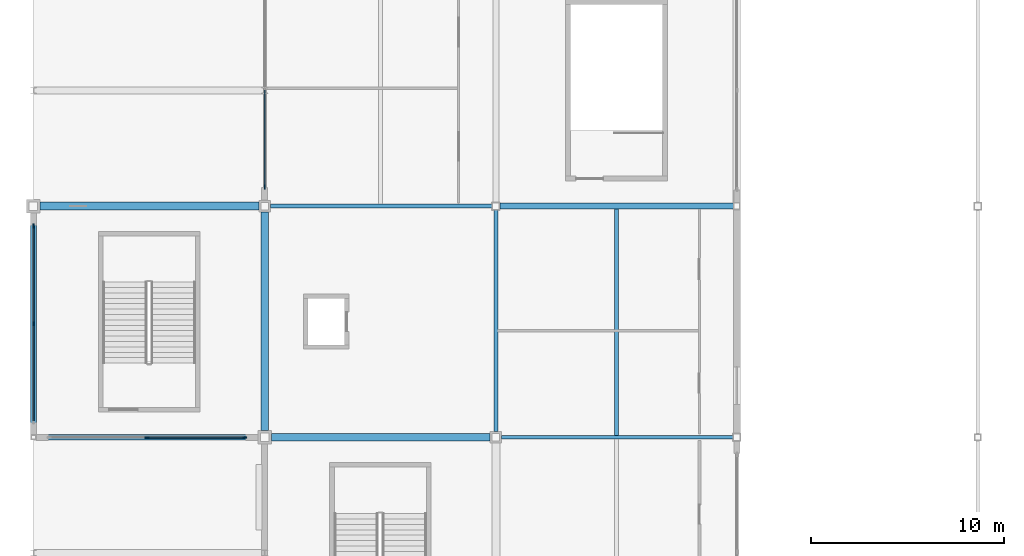
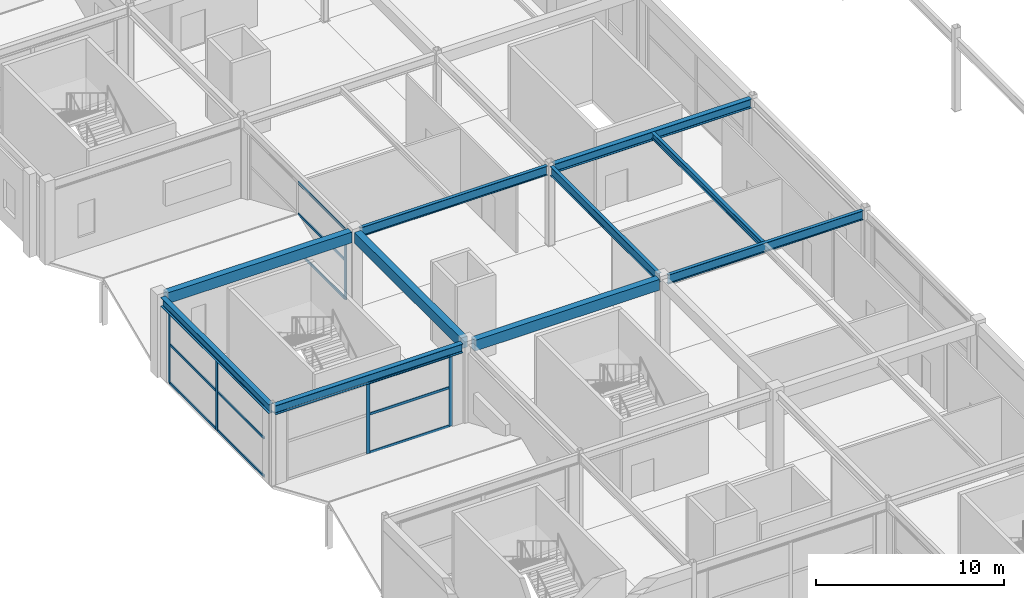
# One storey, part 30 of 105: 17 members, 10 beams, 3 elements without a shape of their own.
"""IFC4 building model written with IfcOpenShell, lengths in metres."""

from ifc_helpers import new_model, si_unit, direction, frame, origin, origin_2d, place, context, subcontext, project, spatial, rectangle, i_section, extrude, material, layer, layer_set, material_profile, profile_set, type_object, element, aggregate, save


model = new_model("IFC4")

# Units and contexts
model_context = context("Model", 3, precision=1e-05, world=origin(), true_north=direction((0.0, 1.0)))
body_context = subcontext(model_context, "Body", "Model", "MODEL_VIEW")
ifc_project = project(units=[si_unit("LENGTHUNIT", "METRE"), si_unit("AREAUNIT", "SQUARE_METRE"), si_unit("VOLUMEUNIT", "CUBIC_METRE"), si_unit("PLANEANGLEUNIT", "RADIAN"), si_unit("MASSUNIT", "GRAM", prefix="KILO")], contexts=[model_context])

# Site, building, storey
site_placement = place(None, origin())
site = spatial("IfcSite", under=ifc_project, at=site_placement, CompositionType="ELEMENT")
building_placement = place(site_placement, origin())
building = spatial("IfcBuilding", under=site, at=building_placement, Name="Kazenohara Klinker Stadium", CompositionType="ELEMENT")
storey_placement = place(building_placement, frame((0.0, 0.0, 20.39990234375)))
storey = spatial("IfcBuildingStorey", under=building, at=storey_placement, Name="L04", CompositionType="ELEMENT", Elevation=20.39990234375)

# Beams
ifc_material_1 = material(Name="Steel S355", Category="steel")
ifc_material_profile_1 = material_profile(ifc_material_1, i_section(OverallWidth=0.199951171875, OverallDepth=0.39990234375, WebThickness=0.008056640625, FlangeThickness=0.012939453125, FilletRadius=0.012939453125, at=origin_2d()), Name="H-400x200x8x13")
ifc_profile_set_1 = profile_set([ifc_material_profile_1], Name="Steel S355")
beam_type_1 = type_object("IfcBeamType", Name="BM-JST03", PredefinedType="JOIST", material=ifc_profile_set_1)
beam_1_placement = place(storey_placement, frame((30.25, 60.10009765625, 4.97998046875), z_axis=(0.0, 1.0, 0.0), x_axis=(-1.0, 0.0, 0.0)))
element("IfcBeam", 1, at=beam_1_placement, inside=storey, type_object=beam_type_1, Name="Secondary floor joist SJ03 L04 3/F", PredefinedType="JOIST", context=body_context, shape_type="SweptSolid", body=[
    extrude(i_section(OverallWidth=0.199951171875, OverallDepth=0.39990234375, WebThickness=0.008056640625, FlangeThickness=0.012939453125, FilletRadius=0.012939453125, at=origin_2d()), origin(), (0.0, 0.0, 1.0), 11.75),
])
ifc_material_2 = material(Name="Concrete C40/50", Category="concrete")
ifc_material_profile_2 = material_profile(ifc_material_2, rectangle(XDim=0.39990234375, YDim=0.699951171875, at=origin_2d()), Name="RC-BM-400x700")
ifc_profile_set_2 = profile_set([ifc_material_profile_2], Name="Concrete C40/50")
beam_type_2 = type_object("IfcBeamType", Name="BM-RC04", PredefinedType="BEAM", material=ifc_profile_set_2)
for number, where, z_axis, x_axis, name in (
    (2, (0.35009765625, 72.0, 4.830078125), (1.0, 0.0, 0.0), (0.0, 1.0, 0.0), "Primary girder BG04 L04 1-2/G"),
    (3, (12.35009765625, 60.0, 4.830078125), (1.0, 0.0, 0.0), (0.0, 1.0, 0.0), "Primary girder BG04 L04 2-3/F"),
    (4, (12.0, 60.35009765625, 4.830078125), (0.0, 1.0, 0.0), (-1.0, 0.0, 0.0), "Primary girder BG04 L04 2/F-G"),
):
    element("IfcBeam", number, at=place(storey_placement, frame(where, z_axis=z_axis, x_axis=x_axis)), inside=storey, type_object=beam_type_2, Name=name, PredefinedType="BEAM", context=body_context, shape_type="SweptSolid", body=[
        extrude(rectangle(XDim=0.39990234375, YDim=0.699951171875, at=origin_2d()), origin(), (0.0, 0.0, 1.0), 11.349853515625),
    ])
ifc_material_profile_3 = material_profile(ifc_material_1, i_section(OverallWidth=0.199951171875, OverallDepth=0.60009765625, WebThickness=0.010986328125, FlangeThickness=0.01708984375, FilletRadius=0.012939453125, at=origin_2d()), Name="H-600x200x11x17")
ifc_profile_set_3 = profile_set([ifc_material_profile_3], Name="Steel S355")
beam_type_3 = type_object("IfcBeamType", Name="BM-ST04", PredefinedType="BEAM", material=ifc_profile_set_3)
beam_2_placement = place(storey_placement, frame((12.300048828125, 72.0, 4.880126953125), z_axis=(1.0, 0.0, 0.0), x_axis=(0.0, 1.0, 0.0)))
element("IfcBeam", 5, at=beam_2_placement, inside=storey, type_object=beam_type_3, Name="Primary girder SB04 L04 2-3/G", PredefinedType="BEAM", context=body_context, shape_type="SweptSolid", body=[
    extrude(i_section(OverallWidth=0.199951171875, OverallDepth=0.60009765625, WebThickness=0.010986328125, FlangeThickness=0.01708984375, FilletRadius=0.012939453125, at=origin_2d()), origin(), (0.0, 0.0, 1.0), 11.5),
])
beam_3_placement = place(storey_placement, frame((24.300048828125, 60.0, 4.880126953125), z_axis=(1.0, 0.0, 0.0), x_axis=(0.0, 1.0, 0.0)))
element("IfcBeam", 6, at=beam_3_placement, inside=storey, type_object=beam_type_3, Name="Primary girder SB04 L04 3-4/F", PredefinedType="BEAM", context=body_context, shape_type="SweptSolid", body=[
    extrude(i_section(OverallWidth=0.199951171875, OverallDepth=0.60009765625, WebThickness=0.010986328125, FlangeThickness=0.01708984375, FilletRadius=0.012939453125, at=origin_2d()), origin(), (0.0, 0.0, 1.0), 12.0),
])
beam_4_placement = place(storey_placement, frame((24.0, 60.300048828125, 4.880126953125), z_axis=(0.0, 1.0, 0.0), x_axis=(-1.0, 0.0, 0.0)))
element("IfcBeam", 7, at=beam_4_placement, inside=storey, type_object=beam_type_3, Name="Primary girder SB04 L04 3/F-G", PredefinedType="BEAM", context=body_context, shape_type="SweptSolid", body=[
    extrude(i_section(OverallWidth=0.199951171875, OverallDepth=0.60009765625, WebThickness=0.010986328125, FlangeThickness=0.01708984375, FilletRadius=0.012939453125, at=origin_2d()), origin(), (0.0, 0.0, 1.0), 11.5),
])
ifc_material_profile_4 = material_profile(ifc_material_1, i_section(OverallWidth=0.300048828125, OverallDepth=0.587890625, WebThickness=0.011962890625, FlangeThickness=0.02001953125, FilletRadius=0.02197265625, at=origin_2d()), Name="H-588x300x12x20")
ifc_profile_set_4 = profile_set([ifc_material_profile_4], Name="Steel S355")
beam_type_4 = type_object("IfcBeamType", Name="BM-ST05", PredefinedType="BEAM", material=ifc_profile_set_4)
beam_5_placement = place(storey_placement, frame((0.125, 60.0, 4.885986328125), z_axis=(1.0, 0.0, 0.0), x_axis=(0.0, 1.0, 0.0)))
element("IfcBeam", 8, at=beam_5_placement, inside=storey, type_object=beam_type_4, Name="Primary girder SB05 L04 1-2/F", PredefinedType="BEAM", context=body_context, shape_type="SweptSolid", body=[
    extrude(i_section(OverallWidth=0.300048828125, OverallDepth=0.587890625, WebThickness=0.011962890625, FlangeThickness=0.02001953125, FilletRadius=0.02197265625, at=origin_2d()), origin(), (0.0, 0.0, 1.0), 11.52490234375),
])
beam_6_placement = place(storey_placement, frame((24.199951171875, 72.0, 4.885986328125), z_axis=(1.0, 0.0, 0.0), x_axis=(0.0, 1.0, 0.0)))
element("IfcBeam", 9, at=beam_6_placement, inside=storey, type_object=beam_type_4, Name="Primary girder SB05 L04 3-4/G", PredefinedType="BEAM", context=body_context, shape_type="SweptSolid", body=[
    extrude(i_section(OverallWidth=0.300048828125, OverallDepth=0.587890625, WebThickness=0.011962890625, FlangeThickness=0.02001953125, FilletRadius=0.02197265625, at=origin_2d()), origin(), (0.0, 0.0, 1.0), 12.125),
])
beam_7_placement = place(storey_placement, frame((0.0, 60.125, 4.885986328125), z_axis=(0.0, 1.0, 0.0), x_axis=(-1.0, 0.0, 0.0)))
element("IfcBeam", 10, at=beam_7_placement, inside=storey, type_object=beam_type_4, Name="Primary girder SB05 L04 1/F-G", PredefinedType="BEAM", context=body_context, shape_type="SweptSolid", body=[
    extrude(i_section(OverallWidth=0.300048828125, OverallDepth=0.587890625, WebThickness=0.011962890625, FlangeThickness=0.02001953125, FilletRadius=0.02197265625, at=origin_2d()), origin(), (0.0, 0.0, 1.0), 11.52490234375),
])

# Curtain wall, members
ifc_material_3 = material(Name="Anodised aluminium and triple glazing", Category="aluminium")
ifc_layer_1 = layer(ifc_material_3, 0.179931640625)
ifc_layer_set_1 = layer_set([ifc_layer_1], Name="Anodised aluminium and triple glazing")
curtain_wall_type_1 = type_object("IfcCurtainWallType", Name="CW-SYS-02", PredefinedType="USERDEFINED", material=ifc_layer_set_1)
curtain_wall_1_placement = place(storey_placement, origin())
curtain_wall_1 = element("IfcCurtainWall", 11, at=curtain_wall_1_placement, inside=storey, type_object=curtain_wall_type_1, Name="Unitised facade curtain wall CW02 L04 X0-5", ObjectType="UNITISED CURTAIN WALL", PredefinedType="USERDEFINED")
ifc_material_4 = material(Name="Anodised aluminium 6063-T6", Category="aluminium")
ifc_material_profile_5 = material_profile(ifc_material_4, rectangle(XDim=0.074951171875, YDim=0.219970703125, at=origin_2d()), Name="ALU-MUL-75x220")
ifc_profile_set_5 = profile_set([ifc_material_profile_5], Name="Anodised aluminium 6063-T6")
member_type_1 = type_object("IfcMemberType", Name="CW-MUL-220", PredefinedType="MULLION", material=ifc_profile_set_5)
member_1_placement = place(storey_placement, frame((5.887451171875, 60.0, 0.0), z_axis=(0.0, 0.0, 1.0), x_axis=(0.0, 1.0, 0.0)))
member_1 = element("IfcMember", 12, at=member_1_placement, type_object=member_type_1, Name="CW02 mullion 2", PredefinedType="MULLION", context=body_context, shape_type="SweptSolid", body=[
    extrude(rectangle(XDim=0.074951171875, YDim=0.219970703125, at=origin_2d()), origin(), (0.0, 0.0, 1.0), 4.592041015625),
])
member_2_placement = place(storey_placement, frame((10.95849609375, 60.0, 0.0), z_axis=(0.0, 0.0, 1.0), x_axis=(0.0, 1.0, 0.0)))
member_2 = element("IfcMember", 13, at=member_2_placement, type_object=member_type_1, Name="CW02 mullion 3", PredefinedType="MULLION", context=body_context, shape_type="SweptSolid", body=[
    extrude(rectangle(XDim=0.074951171875, YDim=0.219970703125, at=origin_2d()), origin(), (0.0, 0.0, 1.0), 4.592041015625),
])

ifc_layer_2 = layer(ifc_material_3, 0.199951171875)
ifc_layer_set_2 = layer_set([ifc_layer_2], Name="Anodised aluminium and triple glazing")
curtain_wall_type_2 = type_object("IfcCurtainWallType", Name="CW-SYS-03", PredefinedType="USERDEFINED", material=ifc_layer_set_2)
curtain_wall_2_placement = place(storey_placement, origin())
curtain_wall_2 = element("IfcCurtainWall", 14, at=curtain_wall_2_placement, inside=storey, type_object=curtain_wall_type_2, Name="Unitised facade curtain wall CW03 L04 Y0-5", ObjectType="UNITISED CURTAIN WALL", PredefinedType="USERDEFINED")
member_3_placement = place(storey_placement, frame((0.0, 65.887451171875, 0.0), z_axis=(0.0, 0.0, 1.0), x_axis=(-1.0, 0.0, 0.0)))
member_3 = element("IfcMember", 15, at=member_3_placement, type_object=member_type_1, Name="CW03 mullion 2", PredefinedType="MULLION", context=body_context, shape_type="SweptSolid", body=[
    extrude(rectangle(XDim=0.074951171875, YDim=0.219970703125, at=origin_2d()), origin(), (0.0, 0.0, 1.0), 4.592041015625),
])
member_4_placement = place(storey_placement, frame((0.0, 70.95849609375, 0.0), z_axis=(0.0, 0.0, 1.0), x_axis=(-1.0, 0.0, 0.0)))
member_4 = element("IfcMember", 16, at=member_4_placement, type_object=member_type_1, Name="CW03 mullion 3", PredefinedType="MULLION", context=body_context, shape_type="SweptSolid", body=[
    extrude(rectangle(XDim=0.074951171875, YDim=0.219970703125, at=origin_2d()), origin(), (0.0, 0.0, 1.0), 4.592041015625),
])

# Curtain wall, member
ifc_layer_3 = layer(ifc_material_3, 0.169921875)
ifc_layer_set_3 = layer_set([ifc_layer_3], Name="Anodised aluminium and triple glazing")
curtain_wall_type_3 = type_object("IfcCurtainWallType", Name="CW-SYS-04", PredefinedType="USERDEFINED", material=ifc_layer_set_3)
curtain_wall_3_placement = place(storey_placement, origin())
curtain_wall_3 = element("IfcCurtainWall", 17, at=curtain_wall_3_placement, inside=storey, type_object=curtain_wall_type_3, Name="Unitised facade curtain wall CW04 L04 Y1-6", ObjectType="UNITISED CURTAIN WALL", PredefinedType="USERDEFINED")
member_5_placement = place(storey_placement, frame((12.0, 72.991455078125, 0.0), z_axis=(0.0, 0.0, 1.0), x_axis=(-1.0, 0.0, 0.0)))
member_5 = element("IfcMember", 18, at=member_5_placement, type_object=member_type_1, Name="CW04 mullion 1", PredefinedType="MULLION", context=body_context, shape_type="SweptSolid", body=[
    extrude(rectangle(XDim=0.074951171875, YDim=0.219970703125, at=origin_2d()), origin(), (0.0, 0.0, 1.0), 4.580078125),
])

# Member
ifc_material_profile_6 = material_profile(ifc_material_4, rectangle(XDim=0.074951171875, YDim=0.159912109375, at=origin_2d()), Name="ALU-TRN-75x160")
ifc_profile_set_6 = profile_set([ifc_material_profile_6], Name="Anodised aluminium 6063-T6")
member_type_2 = type_object("IfcMemberType", Name="CW-TRN-160", PredefinedType="USERDEFINED", material=ifc_profile_set_6)
member_6_placement = place(storey_placement, frame((5.925048828125, 60.0, 0.03759765625), z_axis=(1.0, 0.0, 0.0), x_axis=(0.0, 1.0, 0.0)))
member_6 = element("IfcMember", 19, at=member_6_placement, type_object=member_type_2, Name="CW02 transom 2.1", ObjectType="TRANSOM", PredefinedType="USERDEFINED", context=body_context, shape_type="SweptSolid", body=[
    extrude(rectangle(XDim=0.074951171875, YDim=0.159912109375, at=origin_2d()), origin(), (0.0, 0.0, 1.0), 4.995849609375),
])

member_7_placement = place(storey_placement, frame((5.925048828125, 60.0, 2.525634765625), z_axis=(1.0, 0.0, 0.0), x_axis=(0.0, 1.0, 0.0)))
member_7 = element("IfcMember", 20, at=member_7_placement, type_object=member_type_2, Name="CW02 transom 2.2", ObjectType="TRANSOM", PredefinedType="USERDEFINED", context=body_context, shape_type="SweptSolid", body=[
    extrude(rectangle(XDim=0.074951171875, YDim=0.159912109375, at=origin_2d()), origin(), (0.0, 0.0, 1.0), 4.995849609375),
])

member_8_placement = place(storey_placement, frame((5.925048828125, 60.0, 4.5546875), z_axis=(1.0, 0.0, 0.0), x_axis=(0.0, 1.0, 0.0)))
member_8 = element("IfcMember", 21, at=member_8_placement, type_object=member_type_2, Name="CW02 transom 2.3", ObjectType="TRANSOM", PredefinedType="USERDEFINED", context=body_context, shape_type="SweptSolid", body=[
    extrude(rectangle(XDim=0.074951171875, YDim=0.159912109375, at=origin_2d()), origin(), (0.0, 0.0, 1.0), 4.995849609375),
])

aggregate(curtain_wall_1, [member_1, member_2, member_6, member_7, member_8])

member_9_placement = place(storey_placement, frame((0.0, 60.85400390625, 0.03759765625), z_axis=(0.0, 1.0, 0.0), x_axis=(-1.0, 0.0, 0.0)))
member_9 = element("IfcMember", 22, at=member_9_placement, type_object=member_type_2, Name="CW03 transom 1.1", ObjectType="TRANSOM", PredefinedType="USERDEFINED", context=body_context, shape_type="SweptSolid", body=[
    extrude(rectangle(XDim=0.074951171875, YDim=0.159912109375, at=origin_2d()), origin(), (0.0, 0.0, 1.0), 4.99609375),
])

member_10_placement = place(storey_placement, frame((0.0, 60.85400390625, 2.525634765625), z_axis=(0.0, 1.0, 0.0), x_axis=(-1.0, 0.0, 0.0)))
member_10 = element("IfcMember", 23, at=member_10_placement, type_object=member_type_2, Name="CW03 transom 1.2", ObjectType="TRANSOM", PredefinedType="USERDEFINED", context=body_context, shape_type="SweptSolid", body=[
    extrude(rectangle(XDim=0.074951171875, YDim=0.159912109375, at=origin_2d()), origin(), (0.0, 0.0, 1.0), 4.99609375),
])

member_11_placement = place(storey_placement, frame((0.0, 60.85400390625, 4.5546875), z_axis=(0.0, 1.0, 0.0), x_axis=(-1.0, 0.0, 0.0)))
member_11 = element("IfcMember", 24, at=member_11_placement, type_object=member_type_2, Name="CW03 transom 1.3", ObjectType="TRANSOM", PredefinedType="USERDEFINED", context=body_context, shape_type="SweptSolid", body=[
    extrude(rectangle(XDim=0.074951171875, YDim=0.159912109375, at=origin_2d()), origin(), (0.0, 0.0, 1.0), 4.99609375),
])

member_12_placement = place(storey_placement, frame((0.0, 65.925048828125, 0.03759765625), z_axis=(0.0, 1.0, 0.0), x_axis=(-1.0, 0.0, 0.0)))
member_12 = element("IfcMember", 25, at=member_12_placement, type_object=member_type_2, Name="CW03 transom 2.1", ObjectType="TRANSOM", PredefinedType="USERDEFINED", context=body_context, shape_type="SweptSolid", body=[
    extrude(rectangle(XDim=0.074951171875, YDim=0.159912109375, at=origin_2d()), origin(), (0.0, 0.0, 1.0), 4.995849609375),
])

member_13_placement = place(storey_placement, frame((0.0, 65.925048828125, 2.525634765625), z_axis=(0.0, 1.0, 0.0), x_axis=(-1.0, 0.0, 0.0)))
member_13 = element("IfcMember", 26, at=member_13_placement, type_object=member_type_2, Name="CW03 transom 2.2", ObjectType="TRANSOM", PredefinedType="USERDEFINED", context=body_context, shape_type="SweptSolid", body=[
    extrude(rectangle(XDim=0.074951171875, YDim=0.159912109375, at=origin_2d()), origin(), (0.0, 0.0, 1.0), 4.995849609375),
])

member_14_placement = place(storey_placement, frame((0.0, 65.925048828125, 4.5546875), z_axis=(0.0, 1.0, 0.0), x_axis=(-1.0, 0.0, 0.0)))
member_14 = element("IfcMember", 27, at=member_14_placement, type_object=member_type_2, Name="CW03 transom 2.3", ObjectType="TRANSOM", PredefinedType="USERDEFINED", context=body_context, shape_type="SweptSolid", body=[
    extrude(rectangle(XDim=0.074951171875, YDim=0.159912109375, at=origin_2d()), origin(), (0.0, 0.0, 1.0), 4.995849609375),
])

aggregate(curtain_wall_2, [member_3, member_4, member_9, member_10, member_11, member_12, member_13, member_14])

member_15_placement = place(storey_placement, frame((12.0, 73.029052734375, 0.03759765625), z_axis=(0.0, 1.0, 0.0), x_axis=(-1.0, 0.0, 0.0)))
member_15 = element("IfcMember", 28, at=member_15_placement, type_object=member_type_2, Name="CW04 transom 1.1", ObjectType="TRANSOM", PredefinedType="USERDEFINED", context=body_context, shape_type="SweptSolid", body=[
    extrude(rectangle(XDim=0.074951171875, YDim=0.159912109375, at=origin_2d()), origin(), (0.0, 0.0, 1.0), 4.9833984375),
])

member_16_placement = place(storey_placement, frame((12.0, 73.029052734375, 2.51904296875), z_axis=(0.0, 1.0, 0.0), x_axis=(-1.0, 0.0, 0.0)))
member_16 = element("IfcMember", 29, at=member_16_placement, type_object=member_type_2, Name="CW04 transom 1.2", ObjectType="TRANSOM", PredefinedType="USERDEFINED", context=body_context, shape_type="SweptSolid", body=[
    extrude(rectangle(XDim=0.074951171875, YDim=0.159912109375, at=origin_2d()), origin(), (0.0, 0.0, 1.0), 4.9833984375),
])

member_17_placement = place(storey_placement, frame((12.0, 73.029052734375, 4.54248046875), z_axis=(0.0, 1.0, 0.0), x_axis=(-1.0, 0.0, 0.0)))
member_17 = element("IfcMember", 30, at=member_17_placement, type_object=member_type_2, Name="CW04 transom 1.3", ObjectType="TRANSOM", PredefinedType="USERDEFINED", context=body_context, shape_type="SweptSolid", body=[
    extrude(rectangle(XDim=0.074951171875, YDim=0.159912109375, at=origin_2d()), origin(), (0.0, 0.0, 1.0), 4.9833984375),
])

aggregate(curtain_wall_3, [member_5, member_15, member_16, member_17])

save(model, "model.ifc")
